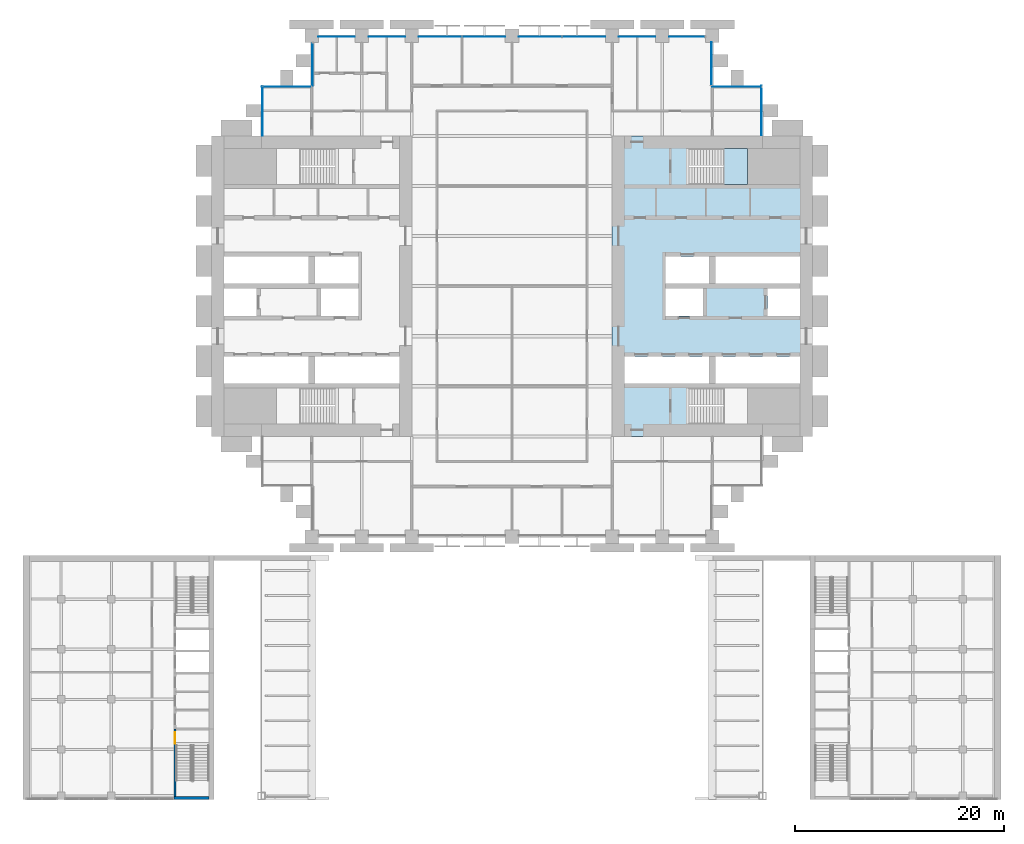
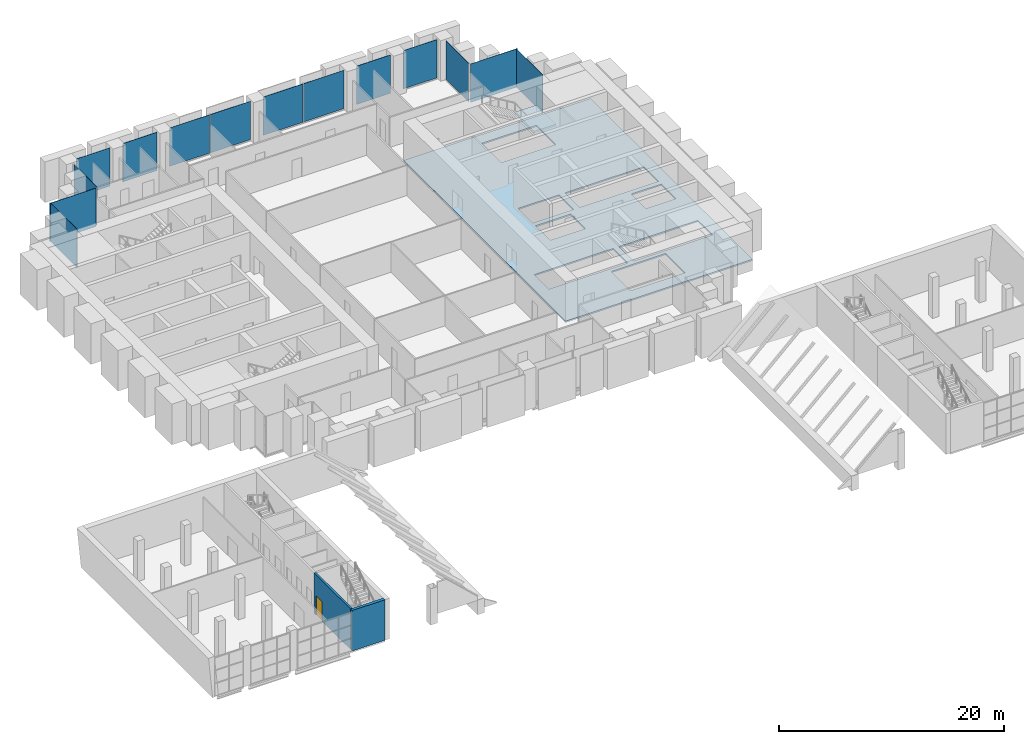
# One storey, part 19 of 30: 14 plates, 2 slabs, 2 walls, 1 door, 1 opening, 8 elements without a shape of their own.
"""IFC4 building model written with IfcOpenShell, lengths in metres."""

from ifc_helpers import new_model, si_unit, direction, frame, frame_2d, origin, origin_2d, place, context, subcontext, project, spatial, polyline, rectangle, outline, extrude, material, layer, layer_set, type_object, element, fill, aggregate, save


model = new_model("IFC4")

# Units and contexts
model_context = context("Model", 3, precision=1e-05, world=origin(), true_north=direction((0.0, 1.0)))
body_context = subcontext(model_context, "Body", "Model", "MODEL_VIEW")
ifc_project = project(units=[si_unit("LENGTHUNIT", "METRE"), si_unit("AREAUNIT", "SQUARE_METRE"), si_unit("VOLUMEUNIT", "CUBIC_METRE"), si_unit("PLANEANGLEUNIT", "RADIAN"), si_unit("MASSUNIT", "GRAM", prefix="KILO")], contexts=[model_context])

# Site, building, storey
site_placement = place(None, origin())
site = spatial("IfcSite", under=ifc_project, at=site_placement, CompositionType="ELEMENT")
building_placement = place(site_placement, origin())
building = spatial("IfcBuilding", under=site, at=building_placement, Name="Baori Bourse Tower", CompositionType="ELEMENT")
storey_placement = place(building_placement, frame((0.0, 0.0, 17.0)))
storey = spatial("IfcBuildingStorey", under=building, at=storey_placement, Name="L02", CompositionType="ELEMENT", Elevation=17.0)

# Curtain wall, plates
ifc_material_1 = material(Name="Pale anodised aluminium", Category="aluminium")
curtain_wall_type_1 = type_object("IfcCurtainWallType", Name="CW1 Curtain wall", PredefinedType="NOTDEFINED", material=ifc_material_1)
curtain_wall_1_placement = place(storey_placement, origin())
curtain_wall_1 = element("IfcCurtainWall", 1, at=curtain_wall_1_placement, inside=storey, type_object=curtain_wall_type_1, Name="Curtain wall CW1 L02 4", PredefinedType="NOTDEFINED")
ifc_material_2 = material(Name="Clear glass", Category="glass")
ifc_layer_1 = layer(ifc_material_2, 0.033935546875)
ifc_layer_set_1 = layer_set([ifc_layer_1], Name="CW1 Curtain wall panel")
plate_type_1 = type_object("IfcPlateType", Name="CW1 Curtain wall panel", PredefinedType="CURTAIN_PANEL", material=ifc_layer_set_1)
plate_1_placement = place(storey_placement, frame((45.570068359375, 47.89990234375, 0.080078125), z_axis=(0.0, 0.0, 1.0), x_axis=(-1.0, 0.0, 0.0)))
plate_1 = element("IfcPlate", 2, at=plate_1_placement, type_object=plate_type_1, Name="Curtain wall CW1 panel", PredefinedType="CURTAIN_PANEL", context=body_context, shape_type="SweptSolid", body=[
    extrude(rectangle(XDim=3.43994140625, YDim=0.033935546875, at=origin_2d()), origin(), (0.0, 0.0, 1.0), 4.159912109375),
])
plate_2_placement = place(storey_placement, frame((40.800048828125, 47.89990234375, 0.080078125), z_axis=(0.0, 0.0, 1.0), x_axis=(-1.0, 0.0, 0.0)))
plate_2 = element("IfcPlate", 3, at=plate_2_placement, type_object=plate_type_1, Name="Curtain wall CW1 panel", PredefinedType="CURTAIN_PANEL", context=body_context, shape_type="SweptSolid", body=[
    extrude(rectangle(XDim=3.5, YDim=0.033935546875, at=origin_2d()), origin(), (0.0, 0.0, 1.0), 4.159912109375),
])
plate_3_placement = place(storey_placement, frame((35.68994140625, 47.89990234375, 0.080078125), z_axis=(0.0, 0.0, 1.0), x_axis=(-1.0, 0.0, 0.0)))
plate_3 = element("IfcPlate", 4, at=plate_3_placement, type_object=plate_type_1, Name="Curtain wall CW1 panel", PredefinedType="CURTAIN_PANEL", context=body_context, shape_type="SweptSolid", body=[
    extrude(rectangle(XDim=4.1201171875, YDim=0.033935546875, at=origin_2d()), origin(), (0.0, 0.0, 1.0), 4.159912109375),
])
plate_4_placement = place(storey_placement, frame((31.510009765625, 47.89990234375, 0.080078125), z_axis=(0.0, 0.0, 1.0), x_axis=(-1.0, 0.0, 0.0)))
plate_4 = element("IfcPlate", 5, at=plate_4_placement, type_object=plate_type_1, Name="Curtain wall CW1 panel", PredefinedType="CURTAIN_PANEL", context=body_context, shape_type="SweptSolid", body=[
    extrude(rectangle(XDim=4.1201171875, YDim=0.033935546875, at=origin_2d()), origin(), (0.0, 0.0, 1.0), 4.159912109375),
])
plate_5_placement = place(storey_placement, frame((26.090087890625, 47.89990234375, 0.080078125), z_axis=(0.0, 0.0, 1.0), x_axis=(-1.0, 0.0, 0.0)))
plate_5 = element("IfcPlate", 6, at=plate_5_placement, type_object=plate_type_1, Name="Curtain wall CW1 panel", PredefinedType="CURTAIN_PANEL", context=body_context, shape_type="SweptSolid", body=[
    extrude(rectangle(XDim=4.1201171875, YDim=0.033935546875, at=origin_2d()), origin(), (0.0, 0.0, 1.0), 4.159912109375),
])
plate_6_placement = place(storey_placement, frame((21.909912109375, 47.89990234375, 0.080078125), z_axis=(0.0, 0.0, 1.0), x_axis=(-1.0, 0.0, 0.0)))
plate_6 = element("IfcPlate", 7, at=plate_6_placement, type_object=plate_type_1, Name="Curtain wall CW1 panel", PredefinedType="CURTAIN_PANEL", context=body_context, shape_type="SweptSolid", body=[
    extrude(rectangle(XDim=4.1201171875, YDim=0.033935546875, at=origin_2d()), origin(), (0.0, 0.0, 1.0), 4.159912109375),
])
plate_7_placement = place(storey_placement, frame((16.800048828125, 47.89990234375, 0.080078125), z_axis=(0.0, 0.0, 1.0), x_axis=(-1.0, 0.0, 0.0)))
plate_7 = element("IfcPlate", 8, at=plate_7_placement, type_object=plate_type_1, Name="Curtain wall CW1 panel", PredefinedType="CURTAIN_PANEL", context=body_context, shape_type="SweptSolid", body=[
    extrude(rectangle(XDim=3.5, YDim=0.033935546875, at=origin_2d()), origin(), (0.0, 0.0, 1.0), 4.159912109375),
])
plate_8_placement = place(storey_placement, frame((12.0, 47.89990234375, 0.080078125), z_axis=(0.0, 0.0, 1.0), x_axis=(-1.0, 0.0, 0.0)))
plate_8 = element("IfcPlate", 9, at=plate_8_placement, type_object=plate_type_1, Name="Curtain wall CW1 panel", PredefinedType="CURTAIN_PANEL", context=body_context, shape_type="SweptSolid", body=[
    extrude(rectangle(XDim=3.5, YDim=0.033935546875, at=origin_2d()), origin(), (0.0, 0.0, 1.0), 4.159912109375),
])
aggregate(curtain_wall_1, [plate_1, plate_2, plate_3, plate_4, plate_5, plate_6, plate_7, plate_8])

# Curtain wall, plate
ifc_material_3 = material(Name="Pale anodised aluminium", Category="aluminium")
curtain_wall_type_2 = type_object("IfcCurtainWallType", Name="CW2 Curtain wall", PredefinedType="NOTDEFINED", material=ifc_material_3)
curtain_wall_2_placement = place(storey_placement, origin())
curtain_wall_2 = element("IfcCurtainWall", 10, at=curtain_wall_2_placement, inside=storey, type_object=curtain_wall_type_2, Name="Curtain wall CW2 L02 1", PredefinedType="NOTDEFINED")
ifc_material_4 = material(Name="Clear glass", Category="glass")
ifc_layer_2 = layer(ifc_material_4, 0.030029296875)
ifc_layer_set_2 = layer_set([ifc_layer_2], Name="CW2 Curtain wall panel")
plate_type_2 = type_object("IfcPlateType", Name="CW2 Curtain wall panel", PredefinedType="CURTAIN_PANEL", material=ifc_layer_set_2)
plate_9_placement = place(storey_placement, frame((52.7099609375, 40.827392578125, 0.070068359375), z_axis=(0.0, 0.0, 1.0), x_axis=(0.0, 1.0, 0.0)))
plate_9 = element("IfcPlate", 11, at=plate_9_placement, type_object=plate_type_2, Name="Curtain wall CW2 panel", PredefinedType="CURTAIN_PANEL", context=body_context, shape_type="SweptSolid", body=[
    extrude(rectangle(XDim=4.7451171875, YDim=0.030029296875, at=origin_2d()), origin(), (0.0, 0.0, 1.0), 4.169921875),
])
aggregate(curtain_wall_2, [plate_9])

curtain_wall_3_placement = place(storey_placement, origin())
curtain_wall_3 = element("IfcCurtainWall", 12, at=curtain_wall_3_placement, inside=storey, type_object=curtain_wall_type_2, Name="Curtain wall CW2 L02 2", PredefinedType="NOTDEFINED")
plate_10_placement = place(storey_placement, frame((50.37255859375, 43.110107421875, 0.070068359375), z_axis=(0.0, 0.0, 1.0), x_axis=(-1.0, 0.0, 0.0)))
plate_10 = element("IfcPlate", 13, at=plate_10_placement, type_object=plate_type_2, Name="Curtain wall CW2 panel", PredefinedType="CURTAIN_PANEL", context=body_context, shape_type="SweptSolid", body=[
    extrude(rectangle(XDim=4.7451171875, YDim=0.030029296875, at=origin_2d()), origin(), (0.0, 0.0, 1.0), 4.169921875),
])
aggregate(curtain_wall_3, [plate_10])

curtain_wall_4_placement = place(storey_placement, origin())
curtain_wall_4 = element("IfcCurtainWall", 14, at=curtain_wall_4_placement, inside=storey, type_object=curtain_wall_type_2, Name="Curtain wall CW2 L02 3", PredefinedType="NOTDEFINED")
plate_11_placement = place(storey_placement, frame((47.909912109375, 45.302490234375, 0.070068359375), z_axis=(0.0, 0.0, 1.0), x_axis=(0.0, 1.0, 0.0)))
plate_11 = element("IfcPlate", 15, at=plate_11_placement, type_object=plate_type_2, Name="Curtain wall CW2 panel", PredefinedType="CURTAIN_PANEL", context=body_context, shape_type="SweptSolid", body=[
    extrude(rectangle(XDim=4.094970703125, YDim=0.030029296875, at=origin_2d()), origin(), (0.0, 0.0, 1.0), 4.169921875),
])
aggregate(curtain_wall_4, [plate_11])

curtain_wall_5_placement = place(storey_placement, origin())
curtain_wall_5 = element("IfcCurtainWall", 16, at=curtain_wall_5_placement, inside=storey, type_object=curtain_wall_type_2, Name="Curtain wall CW2 L02 5", PredefinedType="NOTDEFINED")
plate_12_placement = place(storey_placement, frame((9.68994140625, 45.24755859375, 0.070068359375), z_axis=(0.0, 0.0, 1.0), x_axis=(0.0, -1.0, 0.0)))
plate_12 = element("IfcPlate", 17, at=plate_12_placement, type_object=plate_type_2, Name="Curtain wall CW2 panel", PredefinedType="CURTAIN_PANEL", context=body_context, shape_type="SweptSolid", body=[
    extrude(rectangle(XDim=4.094970703125, YDim=0.030029296875, at=origin_2d()), origin(), (0.0, 0.0, 1.0), 4.169921875),
])
aggregate(curtain_wall_5, [plate_12])

curtain_wall_6_placement = place(storey_placement, origin())
curtain_wall_6 = element("IfcCurtainWall", 18, at=curtain_wall_6_placement, inside=storey, type_object=curtain_wall_type_2, Name="Curtain wall CW2 L02 6", PredefinedType="NOTDEFINED")
plate_13_placement = place(storey_placement, frame((7.172607421875, 43.110107421875, 0.070068359375), z_axis=(0.0, 0.0, 1.0), x_axis=(-1.0, 0.0, 0.0)))
plate_13 = element("IfcPlate", 19, at=plate_13_placement, type_object=plate_type_2, Name="Curtain wall CW2 panel", PredefinedType="CURTAIN_PANEL", context=body_context, shape_type="SweptSolid", body=[
    extrude(rectangle(XDim=4.7451171875, YDim=0.030029296875, at=origin_2d()), origin(), (0.0, 0.0, 1.0), 4.169921875),
])
aggregate(curtain_wall_6, [plate_13])

curtain_wall_7_placement = place(storey_placement, origin())
curtain_wall_7 = element("IfcCurtainWall", 20, at=curtain_wall_7_placement, inside=storey, type_object=curtain_wall_type_2, Name="Curtain wall CW2 L02 7", PredefinedType="NOTDEFINED")
plate_14_placement = place(storey_placement, frame((4.889892578125, 40.7724609375, 0.070068359375), z_axis=(0.0, 0.0, 1.0), x_axis=(0.0, -1.0, 0.0)))
plate_14 = element("IfcPlate", 21, at=plate_14_placement, type_object=plate_type_2, Name="Curtain wall CW2 panel", PredefinedType="CURTAIN_PANEL", context=body_context, shape_type="SweptSolid", body=[
    extrude(rectangle(XDim=4.7451171875, YDim=0.030029296875, at=origin_2d()), origin(), (0.0, 0.0, 1.0), 4.169921875),
])
aggregate(curtain_wall_7, [plate_14])

# Slab
ifc_material_5 = material(Name="Concrete f'c 50 MPa", Category="concrete")
ifc_layer_3 = layer(ifc_material_5, 0.159912109375)
ifc_layer_set_3 = layer_set([ifc_layer_3], Name="Core slab 160")
slab_type_1 = type_object("IfcSlabType", Name="Core slab 160", PredefinedType="FLOOR", material=ifc_layer_set_3)
slab_1_placement = place(storey_placement, frame((0.0, 0.0, -0.159912109375)))
element("IfcSlab", 22, at=slab_1_placement, inside=storey, type_object=slab_type_1, Name="Core floor slab E01", PredefinedType="FLOOR", context=body_context, shape_type="SweptSolid", body=[
    extrude(outline(polyline([(38.39990234375, 9.60009765625), (57.60009765625, 9.60009765625), (57.60009765625, 38.39990234375), (38.39990234375, 38.39990234375), (38.39990234375, 9.60009765625)]), holes=[polyline([(48.300048828125, 14.64990234375), (48.300048828125, 17.25), (56.39990234375, 17.25), (56.39990234375, 14.64990234375), (48.300048828125, 14.64990234375)]), polyline([(56.39990234375, 21.14990234375), (53.300048828125, 21.14990234375), (53.300048828125, 23.75), (56.39990234375, 23.75), (56.39990234375, 21.14990234375)]), polyline([(56.39990234375, 26.85009765625), (56.39990234375, 24.25), (48.300048828125, 24.25), (48.300048828125, 26.85009765625), (56.39990234375, 26.85009765625)]), polyline([(45.750732421875, 14.25), (51.35009765625, 14.25), (51.35009765625, 10.800048828125), (45.750732421875, 10.800048828125), (45.750732421875, 14.25)]), polyline([(51.35009765625, 37.199951171875), (51.35009765625, 33.75), (45.750732421875, 33.75), (45.750732421875, 37.199951171875), (51.35009765625, 37.199951171875)]), polyline([(39.60009765625, 17.25), (47.699951171875, 17.25), (47.699951171875, 14.64990234375), (39.60009765625, 14.64990234375), (39.60009765625, 17.25)]), polyline([(43.5, 24.25), (43.5, 26.85009765625), (47.699951171875, 26.85009765625), (47.699951171875, 24.25), (43.5, 24.25)]), polyline([(43.5, 23.75), (47.10009765625, 23.75), (47.10009765625, 21.14990234375), (43.5, 21.14990234375), (43.5, 23.75)])]), origin(), (0.0, 0.0, 1.0), 0.159912109375),
])

# Stair, slab
ifc_material_6 = material(Name="Concrete f'c 50 MPa", Category="concrete")
stair_type = type_object("IfcStairType", Name="Core stair", PredefinedType="HALF_TURN_STAIR", material=ifc_material_6)
stair_placement = place(storey_placement, origin())
stair = element("IfcStair", 23, at=stair_placement, inside=storey, type_object=stair_type, Name="L02 Stair EB", PredefinedType="HALF_TURN_STAIR")
ifc_material_7 = material(Name="Concrete f'c 50 MPa", Category="concrete")
slab_type_2 = type_object("IfcSlabType", Name="Core stair landing", PredefinedType="LANDING", material=ifc_material_7)
slab_2_placement = place(storey_placement, frame((0.0, 0.0, 2.0)))
slab_2 = element("IfcSlab", 24, at=slab_2_placement, type_object=slab_type_2, Name="ST4 landing 1", PredefinedType="LANDING", context=body_context, shape_type="SweptSolid", body=[
    extrude(outline(polyline([(49.110107421875, 33.75), (51.35009765625, 33.75), (51.35009765625, 37.199951171875), (49.110107421875, 37.199951171875), (49.110107421875, 33.75)])), origin(), (0.0, 0.0, 1.0), 0.199951171875),
])
aggregate(stair, [slab_2])

# Wall
ifc_material_8 = material(Name="Concrete f'c 50 MPa", Category="concrete")
ifc_layer_4 = layer(ifc_material_8, 0.300048828125)
ifc_layer_set_4 = layer_set([ifc_layer_4], Name="Entrance wall 300")
wall_type_1 = type_object("IfcWallType", Name="Entrance wall 300", PredefinedType="SOLIDWALL", material=ifc_layer_set_4)
wall_1_placement = place(storey_placement, frame((-3.60009765625, -25.050048828125, 0.0), z_axis=(0.0, 0.0, 1.0), x_axis=(1.0, 0.0, 0.0)))
element("IfcWall", 25, at=wall_1_placement, inside=storey, type_object=wall_type_1, Name="wing/L02/Wsouthwall/001", PredefinedType="SOLIDWALL", context=body_context, shape_type="SweptSolid", body=[
    extrude(rectangle(XDim=3.35009765625, YDim=0.300048828125, at=frame_2d((1.675048828125, 0.0))), origin(), (0.0, 0.0, 1.0), 4.39990234375),
])

# Wall, opening, door
ifc_material_9 = material(Name="Concrete f'c 50 MPa", Category="concrete")
ifc_layer_5 = layer(ifc_material_9, 0.199951171875)
ifc_layer_set_5 = layer_set([ifc_layer_5], Name="Shaft wall 200")
wall_type_2 = type_object("IfcWallType", Name="Shaft wall 200", PredefinedType="SOLIDWALL", material=ifc_layer_set_5)
wall_2_placement = place(storey_placement, frame((-3.5, -18.43994140625, 0.0), z_axis=(0.0, 0.0, 1.0), x_axis=(0.0, -1.0, 0.0)))
wall_2 = element("IfcWall", 26, at=wall_2_placement, inside=storey, type_object=wall_type_2, Name="wing/L02/WcorrwallE/004", PredefinedType="SOLIDWALL", context=body_context, shape_type="SweptSolid", body=[
    extrude(rectangle(XDim=6.4599609375, YDim=0.199951171875, at=frame_2d((3.22998046875, 0.0))), origin(), (0.0, 0.0, 1.0), 4.39990234375),
])
opening_placement = place(wall_2_placement, frame((0.300048828125, 0.0, 0.0)))
opening = element("IfcOpeningElement", 27, at=opening_placement, cuts=wall_2, Name="Opening WGW-L02-02", PredefinedType="OPENING", context=body_context, shape_type="SweptSolid", body=[
    extrude(rectangle(XDim=1.10009765625, YDim=2.10009765625, at=frame_2d((0.550048828125, 1.050048828125))), frame((0.0, 0.10986328125, 0.0), z_axis=(0.0, -1.0, 0.0), x_axis=(1.0, 0.0, 0.0)), (0.0, 0.0, 1.0), 0.219970703125),
])
ifc_material_10 = material(Name="Steel fire door", Category="steel")
door_type = type_object("IfcDoorType", Name="Wing stair door 1100", OperationType="SINGLE_SWING_LEFT", PredefinedType="DOOR", material=ifc_material_10)
door_placement = place(opening_placement, origin())
door = element("IfcDoor", 28, at=door_placement, inside=storey, type_object=door_type, Name="WGW-L02-02", OperationType="SINGLE_SWING_LEFT", OverallHeight=2.10009765625, OverallWidth=1.10009765625, PredefinedType="DOOR", context=body_context, shape_type="SweptSolid", body=[
    extrude(rectangle(XDim=1.10009765625, YDim=2.10009765625, at=frame_2d((0.550048828125, 1.050048828125))), frame((0.0, 0.02490234375, 0.0), z_axis=(0.0, -1.0, 0.0), x_axis=(1.0, 0.0, 0.0)), (0.0, 0.0, 1.0), 0.050048828125),
])
fill(opening, door)

save(model, "model.ifc")
